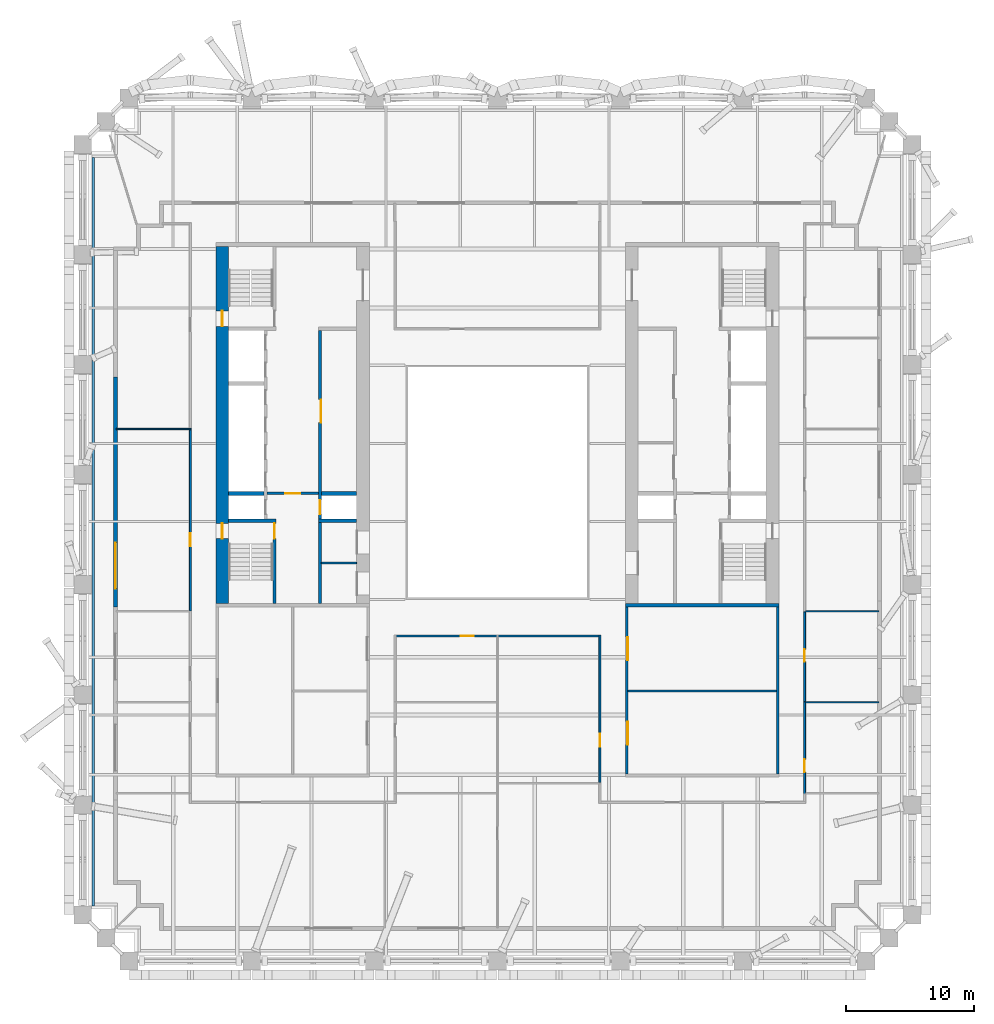
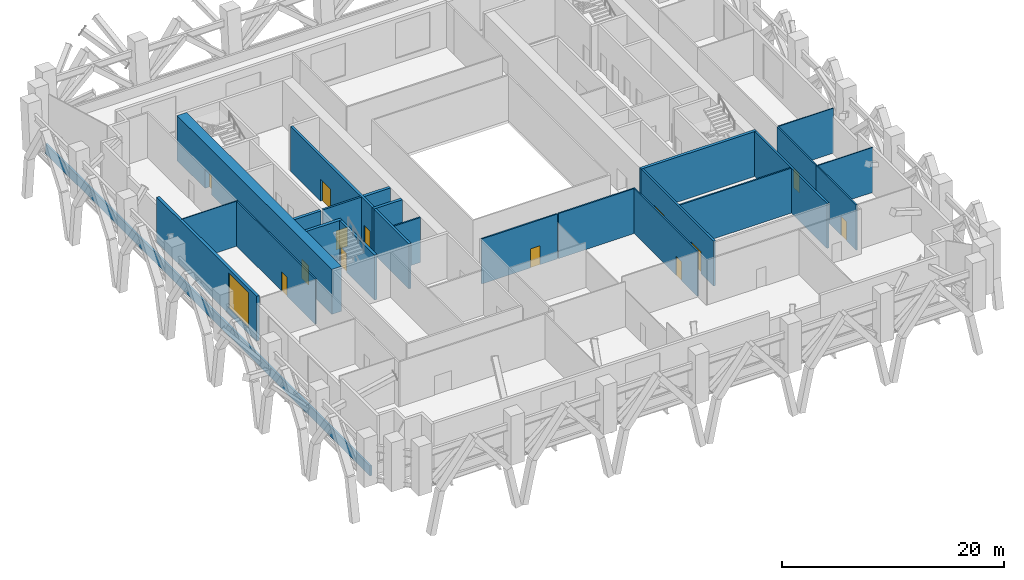
# One storey, part 6 of 19: 24 walls, 13 doors, 1 window, 14 openings.
"""IFC4 building model written with IfcOpenShell, lengths in metres."""

from ifc_helpers import new_model, si_unit, direction, frame, frame_2d, origin, place, context, subcontext, project, spatial, rectangle, extrude, material, layer, layer_set, type_object, element, fill, save


model = new_model("IFC4")

# Units and contexts
model_context = context("Model", 3, precision=1e-05, world=origin(), true_north=direction((0.0, 1.0)))
body_context = subcontext(model_context, "Body", "Model", "MODEL_VIEW")
ifc_project = project(units=[si_unit("LENGTHUNIT", "METRE"), si_unit("AREAUNIT", "SQUARE_METRE"), si_unit("VOLUMEUNIT", "CUBIC_METRE"), si_unit("PLANEANGLEUNIT", "RADIAN"), si_unit("MASSUNIT", "GRAM", prefix="KILO")], contexts=[model_context])

# Site, building, storey
site_placement = place(None, origin())
site = spatial("IfcSite", under=ifc_project, at=site_placement, CompositionType="ELEMENT")
building_placement = place(site_placement, origin())
building = spatial("IfcBuilding", under=site, at=building_placement, Name="Ogive Exchange Tower", CompositionType="ELEMENT")
storey_placement = place(building_placement, frame((0.0, 0.0, 94.199951171875)))
storey = spatial("IfcBuildingStorey", under=building, at=storey_placement, Name="L20", CompositionType="ELEMENT", Elevation=94.199951171875)

# Walls
ifc_material_1 = material(Name="Gypsum board partition")
ifc_layer_1 = layer(ifc_material_1, 0.14990234375)
ifc_layer_set_1 = layer_set([ifc_layer_1], Name="Core room partition 150 gypsum")
wall_type_1 = type_object("IfcWallType", Name="Core room partition 150 gypsum", PredefinedType="PARTITIONING", material=ifc_layer_set_1)
wall_1_placement = place(storey_placement, frame((-13.75, 0.699951171875, 0.0), z_axis=(0.0, 0.0, 1.0), x_axis=(1.0, 0.0, 0.0)))
element("IfcWall", 1, at=wall_1_placement, inside=storey, type_object=wall_type_1, Name="W south room partition", PredefinedType="PARTITIONING", context=body_context, shape_type="SweptSolid", body=[
    extrude(rectangle(XDim=2.75, YDim=0.14990234375, at=frame_2d((1.375, 0.0))), origin(), (0.0, 0.0, 1.0), 4.949951171875),
])
wall_2_placement = place(storey_placement, frame((10.199951171875, -9.300048828125, 0.0), z_axis=(0.0, 0.0, 1.0), x_axis=(1.0, 0.0, 0.0)))
element("IfcWall", 2, at=wall_2_placement, inside=storey, type_object=wall_type_1, Name="E annex S cross wall", PredefinedType="PARTITIONING", context=body_context, shape_type="SweptSolid", body=[
    extrude(rectangle(XDim=11.60009765625, YDim=0.14990234375, at=frame_2d((5.800048828125, 0.0))), origin(), (0.0, 0.0, 1.0), 4.949951171875),
])

# Wall, opening, door
ifc_material_2 = material(Name="Fire partition EI 60 150")
ifc_layer_2 = layer(ifc_material_2, 0.14990234375)
ifc_layer_set_2 = layer_set([ifc_layer_2], Name="Fire partition EI 60 150")
wall_type_2 = type_object("IfcWallType", Name="Fire partition EI 60 150", PredefinedType="PARTITIONING", material=ifc_layer_set_2)
wall_3_placement = place(storey_placement, frame((-24.0, -3.06005859375, 0.0), z_axis=(0.0, 0.0, 1.0), x_axis=(0.0, 1.0, 0.0)))
wall_3 = element("IfcWall", 3, at=wall_3_placement, inside=storey, type_object=wall_type_2, Name="L20-PWL-008", PredefinedType="PARTITIONING", context=body_context, shape_type="SweptSolid", body=[
    extrude(rectangle(XDim=14.18017578125, YDim=0.14990234375, at=frame_2d((7.090087890625, 0.0))), origin(), (0.0, 0.0, 1.0), 4.949951171875),
])
opening_1_placement = place(wall_3_placement, frame((5.080078125, 0.0, 0.0)))
opening_1 = element("IfcOpeningElement", 4, at=opening_1_placement, cuts=wall_3, Name="Opening L20-I01", PredefinedType="OPENING", context=body_context, shape_type="SweptSolid", body=[
    extrude(rectangle(XDim=1.0, YDim=2.10009765625, at=frame_2d((0.5, 1.050048828125))), frame((0.0, 0.0849609375, 0.0), z_axis=(0.0, -1.0, 0.0), x_axis=(1.0, 0.0, 0.0)), (0.0, 0.0, 1.0), 0.169921875),
])
ifc_material_3 = material(Name="Fire door FD 30S 1000 x 2100")
door_type_1 = type_object("IfcDoorType", Name="Fire door FD 30S 1000 x 2100", OperationType="NOTDEFINED", PredefinedType="DOOR", material=ifc_material_3)
door_1_placement = place(opening_1_placement, origin())
door_1 = element("IfcDoor", 5, at=door_1_placement, inside=storey, type_object=door_type_1, Name="L20-IDR-001", ObjectType="DT3", OperationType="SINGLE_SWING_RIGHT", OverallHeight=2.10009765625, OverallWidth=1.0, PredefinedType="DOOR", context=body_context, shape_type="SweptSolid", body=[
    extrude(rectangle(XDim=1.0, YDim=2.10009765625, at=frame_2d((0.5, 1.050048828125))), frame((0.0, 0.02490234375, 0.0), z_axis=(0.0, -1.0, 0.0), x_axis=(1.0, 0.0, 0.0)), (0.0, 0.0, 1.0), 0.050048828125),
])
fill(opening_1, door_1)

wall_4_placement = place(storey_placement, frame((-0.050048828125, -5.0, 0.0), z_axis=(0.0, 0.0, 1.0), x_axis=(-1.0, 0.0, 0.0)))
wall_4 = element("IfcWall", 6, at=wall_4_placement, inside=storey, type_object=wall_type_2, Name="L20-PWL-027", PredefinedType="PARTITIONING", context=body_context, shape_type="SweptSolid", body=[
    extrude(rectangle(XDim=7.875, YDim=0.14990234375, at=frame_2d((3.9375, 0.0))), origin(), (0.0, 0.0, 1.0), 4.949951171875),
])
opening_2_placement = place(wall_4_placement, frame((1.800048828125, 0.0, 0.0)))
opening_2 = element("IfcOpeningElement", 7, at=opening_2_placement, cuts=wall_4, Name="Opening L20-I12", PredefinedType="OPENING", context=body_context, shape_type="SweptSolid", body=[
    extrude(rectangle(XDim=1.0, YDim=2.10009765625, at=frame_2d((0.5, 1.050048828125))), frame((0.0, 0.0849609375, 0.0), z_axis=(0.0, -1.0, 0.0), x_axis=(1.0, 0.0, 0.0)), (0.0, 0.0, 1.0), 0.169921875),
])
door_2_placement = place(opening_2_placement, origin())
door_2 = element("IfcDoor", 8, at=door_2_placement, inside=storey, type_object=door_type_1, Name="L20-IDR-012", ObjectType="DT3", OperationType="SINGLE_SWING_RIGHT", OverallHeight=2.10009765625, OverallWidth=1.0, PredefinedType="DOOR", context=body_context, shape_type="SweptSolid", body=[
    extrude(rectangle(XDim=1.0, YDim=2.10009765625, at=frame_2d((0.5, 1.050048828125))), frame((0.0, 0.02490234375, 0.0), z_axis=(0.0, -1.0, 0.0), x_axis=(1.0, 0.0, 0.0)), (0.0, 0.0, 1.0), 0.050048828125),
])
fill(opening_2, door_2)

wall_5_placement = place(storey_placement, frame((8.0, -16.449951171875, 0.0), z_axis=(0.0, 0.0, 1.0), x_axis=(0.0, 1.0, 0.0)))
wall_5 = element("IfcWall", 9, at=wall_5_placement, inside=storey, type_object=wall_type_2, Name="L20-PWL-029", PredefinedType="PARTITIONING", context=body_context, shape_type="SweptSolid", body=[
    extrude(rectangle(XDim=11.52490234375, YDim=0.14990234375, at=frame_2d((5.762451171875, 0.0))), origin(), (0.0, 0.0, 1.0), 4.949951171875),
])
opening_3_placement = place(wall_5_placement, frame((2.800048828125, 0.0, 0.0)))
opening_3 = element("IfcOpeningElement", 10, at=opening_3_placement, cuts=wall_5, Name="Opening L20-I11", PredefinedType="OPENING", context=body_context, shape_type="SweptSolid", body=[
    extrude(rectangle(XDim=1.0, YDim=2.10009765625, at=frame_2d((0.5, 1.050048828125))), frame((0.0, 0.0849609375, 0.0), z_axis=(0.0, -1.0, 0.0), x_axis=(1.0, 0.0, 0.0)), (0.0, 0.0, 1.0), 0.169921875),
])
door_3_placement = place(opening_3_placement, origin())
door_3 = element("IfcDoor", 11, at=door_3_placement, inside=storey, type_object=door_type_1, Name="L20-IDR-011", ObjectType="DT3", OperationType="SINGLE_SWING_RIGHT", OverallHeight=2.10009765625, OverallWidth=1.0, PredefinedType="DOOR", context=body_context, shape_type="SweptSolid", body=[
    extrude(rectangle(XDim=1.0, YDim=2.10009765625, at=frame_2d((0.5, 1.050048828125))), frame((0.0, 0.02490234375, 0.0), z_axis=(0.0, -1.0, 0.0), x_axis=(1.0, 0.0, 0.0)), (0.0, 0.0, 1.0), 0.050048828125),
])
fill(opening_3, door_3)

# Wall
wall_6_placement = place(storey_placement, frame((7.925048828125, -5.0, 0.0), z_axis=(0.0, 0.0, 1.0), x_axis=(-1.0, 0.0, 0.0)))
element("IfcWall", 12, at=wall_6_placement, inside=storey, type_object=wall_type_2, Name="L20-PWL-030", PredefinedType="PARTITIONING", context=body_context, shape_type="SweptSolid", body=[
    extrude(rectangle(XDim=7.875, YDim=0.14990234375, at=frame_2d((3.9375, 0.0))), origin(), (0.0, 0.0, 1.0), 4.949951171875),
])

# Wall, opening, door
wall_7_placement = place(storey_placement, frame((24.0, -10.1201171875, 0.0), z_axis=(0.0, 0.0, 1.0), x_axis=(0.0, -1.0, 0.0)))
wall_7 = element("IfcWall", 13, at=wall_7_placement, inside=storey, type_object=wall_type_2, Name="L20-PWL-037", PredefinedType="PARTITIONING", context=body_context, shape_type="SweptSolid", body=[
    extrude(rectangle(XDim=7.219970703125, YDim=0.14990234375, at=frame_2d((3.60986328125, 0.0))), origin(), (0.0, 0.0, 1.0), 4.949951171875),
])
opening_4_placement = place(wall_7_placement, frame((4.52001953125, 0.0, 0.0)))
opening_4 = element("IfcOpeningElement", 14, at=opening_4_placement, cuts=wall_7, Name="Opening L20-I08", PredefinedType="OPENING", context=body_context, shape_type="SweptSolid", body=[
    extrude(rectangle(XDim=1.0, YDim=2.10009765625, at=frame_2d((0.5, 1.050048828125))), frame((0.0, 0.0849609375, 0.0), z_axis=(0.0, -1.0, 0.0), x_axis=(1.0, 0.0, 0.0)), (0.0, 0.0, 1.0), 0.169921875),
])
door_4_placement = place(opening_4_placement, origin())
door_4 = element("IfcDoor", 15, at=door_4_placement, inside=storey, type_object=door_type_1, Name="L20-IDR-008", ObjectType="DT3", OperationType="SINGLE_SWING_LEFT", OverallHeight=2.10009765625, OverallWidth=1.0, PredefinedType="DOOR", context=body_context, shape_type="SweptSolid", body=[
    extrude(rectangle(XDim=1.0, YDim=2.10009765625, at=frame_2d((0.5, 1.050048828125))), frame((0.0, 0.02490234375, 0.0), z_axis=(0.0, -1.0, 0.0), x_axis=(1.0, 0.0, 0.0)), (0.0, 0.0, 1.0), 0.050048828125),
])
fill(opening_4, door_4)

wall_8_placement = place(storey_placement, frame((24.0, -3.110107421875, 0.0), z_axis=(0.0, 0.0, 1.0), x_axis=(0.0, -1.0, 0.0)))
wall_8 = element("IfcWall", 16, at=wall_8_placement, inside=storey, type_object=wall_type_2, Name="L20-PWL-038", PredefinedType="PARTITIONING", context=body_context, shape_type="SweptSolid", body=[
    extrude(rectangle(XDim=7.010009765625, YDim=0.14990234375, at=frame_2d((3.5048828125, 0.0))), origin(), (0.0, 0.0, 1.0), 4.949951171875),
])
opening_5_placement = place(wall_8_placement, frame((2.909912109375, 0.0, 0.0)))
opening_5 = element("IfcOpeningElement", 17, at=opening_5_placement, cuts=wall_8, Name="Opening L20-I07", PredefinedType="OPENING", context=body_context, shape_type="SweptSolid", body=[
    extrude(rectangle(XDim=1.0, YDim=2.10009765625, at=frame_2d((0.5, 1.050048828125))), frame((0.0, 0.0849609375, 0.0), z_axis=(0.0, -1.0, 0.0), x_axis=(1.0, 0.0, 0.0)), (0.0, 0.0, 1.0), 0.169921875),
])
door_5_placement = place(opening_5_placement, origin())
door_5 = element("IfcDoor", 18, at=door_5_placement, inside=storey, type_object=door_type_1, Name="L20-IDR-007", ObjectType="DT3", OperationType="SINGLE_SWING_LEFT", OverallHeight=2.10009765625, OverallWidth=1.0, PredefinedType="DOOR", context=body_context, shape_type="SweptSolid", body=[
    extrude(rectangle(XDim=1.0, YDim=2.10009765625, at=frame_2d((0.5, 1.050048828125))), frame((0.0, 0.02490234375, 0.0), z_axis=(0.0, -1.0, 0.0), x_axis=(1.0, 0.0, 0.0)), (0.0, 0.0, 1.0), 0.050048828125),
])
fill(opening_5, door_5)

# Wall, opening, window
ifc_material_4 = material(Name="Precast concrete C40/50", Category="concrete")
ifc_layer_3 = layer(ifc_material_4, 0.300048828125)
ifc_layer_set_3 = layer_set([ifc_layer_3], Name="Limestone-faced wall 300")
wall_type_3 = type_object("IfcWallType", Name="Limestone-faced wall 300", PredefinedType="STANDARD", material=ifc_layer_set_3)
wall_9_placement = place(storey_placement, frame((-29.85009765625, 15.25244140625, 0.0), z_axis=(0.0, 0.0, 1.0), x_axis=(0.0, -1.0, 0.0)))
wall_9 = element("IfcWall", 19, at=wall_9_placement, inside=storey, type_object=wall_type_3, Name="External wall W4", PredefinedType="STANDARD", context=body_context, shape_type="SweptSolid", body=[
    extrude(rectangle(XDim=17.98095703125, YDim=0.300048828125, at=frame_2d((8.990478515625, 0.0))), origin(), (0.0, 0.0, 1.0), 4.949951171875),
])
opening_6_placement = place(wall_9_placement, frame((12.952392578125, 0.0, 0.60009765625)))
opening_6 = element("IfcOpeningElement", 20, at=opening_6_placement, cuts=wall_9, Name="Opening LV1", PredefinedType="OPENING", context=body_context, shape_type="SweptSolid", body=[
    extrude(rectangle(XDim=3.60009765625, YDim=3.89990234375, at=frame_2d((1.800048828125, 1.949951171875))), frame((0.0, 0.159912109375, 0.0), z_axis=(0.0, -1.0, 0.0), x_axis=(1.0, 0.0, 0.0)), (0.0, 0.0, 1.0), 0.320068359375),
])
ifc_material_5 = material(Name="Anodised aluminium louvre", Category="aluminium")
window_type = type_object("IfcWindowType", Name="Plant louvre 3600 x 3900", PartitioningType="DOUBLE_PANEL_HORIZONTAL", PredefinedType="WINDOW", material=ifc_material_5)
window_placement = place(opening_6_placement, origin())
window = element("IfcWindow", 21, at=window_placement, inside=storey, type_object=window_type, Name="Louvre W03", OverallHeight=3.89990234375, OverallWidth=3.60009765625, PartitioningType="DOUBLE_PANEL_HORIZONTAL", PredefinedType="WINDOW", context=body_context, shape_type="SweptSolid", body=[
    extrude(rectangle(XDim=3.60009765625, YDim=3.89990234375, at=frame_2d((1.800048828125, 1.949951171875))), frame((0.0, 0.030029296875, 0.0), z_axis=(0.0, -1.0, 0.0), x_axis=(1.0, 0.0, 0.0)), (0.0, 0.0, 1.0), 0.06005859375),
])
fill(opening_6, window)

# Walls
ifc_material_6 = material(Name="Partition 100 gypsum")
ifc_layer_4 = layer(ifc_material_6, 0.10009765625)
ifc_layer_set_4 = layer_set([ifc_layer_4], Name="Partition 100 gypsum")
wall_type_4 = type_object("IfcWallType", Name="Partition 100 gypsum", PredefinedType="PARTITIONING", material=ifc_layer_set_4)
wall_10_placement = place(storey_placement, frame((-29.800048828125, 11.169921875, 0.0), z_axis=(0.0, 0.0, 1.0), x_axis=(1.0, 0.0, 0.0)))
element("IfcWall", 22, at=wall_10_placement, inside=storey, type_object=wall_type_4, Name="L20-PWL-001", PredefinedType="PARTITIONING", context=body_context, shape_type="SweptSolid", body=[
    extrude(rectangle(XDim=5.875, YDim=0.10009765625, at=frame_2d((2.9375, 0.0))), origin(), (0.0, 0.0, 1.0), 4.949951171875),
])
for number, where, z_axis, x_axis, name in (
    (23, (29.800048828125, -10.169921875, 0.0), (0.0, 0.0, 1.0), (-1.0, 0.0, 0.0), "L20-PWL-046"),
    (24, (29.800048828125, -3.06005859375, 0.0), (0.0, 0.0, 1.0), (-1.0, 0.0, 0.0), "L20-PWL-047"),
):
    element("IfcWall", number, at=place(storey_placement, frame(where, z_axis=z_axis, x_axis=x_axis)), inside=storey, type_object=wall_type_4, Name=name, PredefinedType="PARTITIONING", context=body_context, shape_type="SweptSolid", body=[
        extrude(rectangle(XDim=5.72509765625, YDim=0.10009765625, at=frame_2d((2.862548828125, 0.0))), origin(), (0.0, 0.0, 1.0), 4.949951171875),
    ])
ifc_layer_5 = layer(ifc_material_4, 0.199951171875)
ifc_layer_set_5 = layer_set([ifc_layer_5], Name="Plant deck parapet 200")
wall_type_5 = type_object("IfcWallType", Name="Plant deck parapet 200", PredefinedType="STANDARD", material=ifc_layer_set_5)
wall_11_placement = place(storey_placement, frame((-31.580078125, 32.38916015625, -0.050048828125), z_axis=(0.0, 0.0, 1.0), x_axis=(0.0, -1.0, 0.0)))
element("IfcWall", 25, at=wall_11_placement, inside=storey, type_object=wall_type_5, Name="Plant deck parapet 16", PredefinedType="STANDARD", context=body_context, shape_type="SweptSolid", body=[
    extrude(rectangle(XDim=58.46923828125, YDim=0.199951171875, at=frame_2d((29.234619140625, 0.0))), origin(), (0.0, 0.0, 1.0), 1.10009765625),
])

# Wall, openings, doors
ifc_material_7 = material(Name="Concrete C70/85", Category="concrete")
ifc_layer_6 = layer(ifc_material_7, 1.0)
ifc_layer_set_6 = layer_set([ifc_layer_6], Name="RC core wall 1000 C70/85")
wall_type_6 = type_object("IfcWallType", Name="RC core wall 1000 C70/85", PredefinedType="SHEAR", material=ifc_layer_set_6)
wall_12_placement = place(storey_placement, frame((-21.5, -2.449951171875, 0.0), z_axis=(0.0, 0.0, 1.0), x_axis=(0.0, 1.0, 0.0)))
wall_12 = element("IfcWall", 26, at=wall_12_placement, inside=storey, type_object=wall_type_6, Name="W outer wall", PredefinedType="SHEAR", context=body_context, shape_type="SweptSolid", body=[
    extrude(rectangle(XDim=27.89990234375, YDim=1.0, at=frame_2d((13.949951171875, 0.0))), origin(), (0.0, 0.0, 1.0), 4.949951171875),
])
opening_7_placement = place(wall_12_placement, frame((5.050048828125, 0.0, 0.0)))
opening_7 = element("IfcOpeningElement", 27, at=opening_7_placement, cuts=wall_12, Name="Opening L20-C13", PredefinedType="OPENING", context=body_context, shape_type="SweptSolid", body=[
    extrude(rectangle(XDim=1.199951171875, YDim=2.10009765625, at=frame_2d((0.60009765625, 1.050048828125))), frame((0.0, 0.510009765625, 0.0), z_axis=(0.0, -1.0, 0.0), x_axis=(1.0, 0.0, 0.0)), (0.0, 0.0, 1.0), 1.02001953125),
])
opening_8_placement = place(wall_12_placement, frame((21.64990234375, 0.0, 0.0)))
opening_8 = element("IfcOpeningElement", 28, at=opening_8_placement, cuts=wall_12, Name="Opening L20-C15", PredefinedType="OPENING", context=body_context, shape_type="SweptSolid", body=[
    extrude(rectangle(XDim=1.199951171875, YDim=2.10009765625, at=frame_2d((0.60009765625, 1.050048828125))), frame((0.0, 0.510009765625, 0.0), z_axis=(0.0, -1.0, 0.0), x_axis=(1.0, 0.0, 0.0)), (0.0, 0.0, 1.0), 1.02001953125),
])
ifc_material_8 = material(Name="Steel fire door", Category="steel")
door_type_2 = type_object("IfcDoorType", Name="Stair door FD90 1200 x 2100", OperationType="NOTDEFINED", PredefinedType="DOOR", material=ifc_material_8)
door_6_placement = place(opening_7_placement, frame((1.199951171875, 0.0, 0.0), z_axis=(0.0, 0.0, 1.0), x_axis=(-1.0, 0.0, 0.0)))
door_6 = element("IfcDoor", 29, at=door_6_placement, inside=storey, type_object=door_type_2, Name="Stair door", ObjectType="CD5", OperationType="SINGLE_SWING_RIGHT", OverallHeight=2.10009765625, OverallWidth=1.199951171875, PredefinedType="DOOR", context=body_context, shape_type="SweptSolid", body=[
    extrude(rectangle(XDim=1.199951171875, YDim=2.10009765625, at=frame_2d((0.60009765625, 1.050048828125))), frame((0.0, 0.02490234375, 0.0), z_axis=(0.0, -1.0, 0.0), x_axis=(1.0, 0.0, 0.0)), (0.0, 0.0, 1.0), 0.050048828125),
])
fill(opening_7, door_6)
door_7_placement = place(opening_8_placement, frame((1.199951171875, 0.0, 0.0), z_axis=(0.0, 0.0, 1.0), x_axis=(-1.0, 0.0, 0.0)))
door_7 = element("IfcDoor", 30, at=door_7_placement, inside=storey, type_object=door_type_2, Name="Stair door", ObjectType="CD5", OperationType="SINGLE_SWING_LEFT", OverallHeight=2.10009765625, OverallWidth=1.199951171875, PredefinedType="DOOR", context=body_context, shape_type="SweptSolid", body=[
    extrude(rectangle(XDim=1.199951171875, YDim=2.10009765625, at=frame_2d((0.60009765625, 1.050048828125))), frame((0.0, 0.02490234375, 0.0), z_axis=(0.0, -1.0, 0.0), x_axis=(1.0, 0.0, 0.0)), (0.0, 0.0, 1.0), 0.050048828125),
])
fill(opening_8, door_7)

# Wall, opening, door
ifc_layer_7 = layer(ifc_material_7, 0.199951171875)
ifc_layer_set_7 = layer_set([ifc_layer_7], Name="RC core wall 200 C70/85")
wall_type_7 = type_object("IfcWallType", Name="RC core wall 200 C70/85", PredefinedType="SHEAR", material=ifc_layer_set_7)
wall_13_placement = place(storey_placement, frame((-18.0, 6.142822265625, 0.0), z_axis=(0.0, 0.0, 1.0), x_axis=(1.0, 0.0, 0.0)))
wall_13 = element("IfcWall", 31, at=wall_13_placement, inside=storey, type_object=wall_type_7, Name="W firefighting lobby wall", PredefinedType="SHEAR", context=body_context, shape_type="SweptSolid", body=[
    extrude(rectangle(XDim=4.0, YDim=0.199951171875, at=frame_2d((2.0, 0.0))), origin(), (0.0, 0.0, 1.0), 4.949951171875),
])
opening_9_placement = place(wall_13_placement, frame((1.39990234375, 0.0, 0.0)))
opening_9 = element("IfcOpeningElement", 32, at=opening_9_placement, cuts=wall_13, Name="Opening L20-C10", PredefinedType="OPENING", context=body_context, shape_type="SweptSolid", body=[
    extrude(rectangle(XDim=1.199951171875, YDim=2.10009765625, at=frame_2d((0.60009765625, 1.050048828125))), frame((0.0, 0.10986328125, 0.0), z_axis=(0.0, -1.0, 0.0), x_axis=(1.0, 0.0, 0.0)), (0.0, 0.0, 1.0), 0.219970703125),
])
door_type_3 = type_object("IfcDoorType", Name="Firefighting lobby door FD60 1200 x 2100", OperationType="NOTDEFINED", PredefinedType="DOOR", material=ifc_material_8)
door_8_placement = place(opening_9_placement, frame((1.199951171875, 0.0, 0.0), z_axis=(0.0, 0.0, 1.0), x_axis=(-1.0, 0.0, 0.0)))
door_8 = element("IfcDoor", 33, at=door_8_placement, inside=storey, type_object=door_type_3, Name="Firefighting lobby door", ObjectType="CD3", OperationType="SINGLE_SWING_RIGHT", OverallHeight=2.10009765625, OverallWidth=1.199951171875, PredefinedType="DOOR", context=body_context, shape_type="SweptSolid", body=[
    extrude(rectangle(XDim=1.199951171875, YDim=2.10009765625, at=frame_2d((0.60009765625, 1.050048828125))), frame((0.0, 0.02490234375, 0.0), z_axis=(0.0, -1.0, 0.0), x_axis=(1.0, 0.0, 0.0)), (0.0, 0.0, 1.0), 0.050048828125),
])
fill(opening_9, door_8)

# Wall
wall_14_placement = place(storey_placement, frame((21.89990234375, -15.800048828125, 0.0), z_axis=(0.0, 0.0, 1.0), x_axis=(0.0, 1.0, 0.0)))
element("IfcWall", 34, at=wall_14_placement, inside=storey, type_object=wall_type_7, Name="E annex S outer wall", PredefinedType="SHEAR", context=body_context, shape_type="SweptSolid", body=[
    extrude(rectangle(XDim=13.050048828125, YDim=0.199951171875, at=frame_2d((6.52490234375, 0.0))), origin(), (0.0, 0.0, 1.0), 4.949951171875),
])

# Wall, openings, doors
wall_15_placement = place(storey_placement, frame((10.10009765625, -15.800048828125, 0.0), z_axis=(0.0, 0.0, 1.0), x_axis=(0.0, 1.0, 0.0)))
wall_15 = element("IfcWall", 35, at=wall_15_placement, inside=storey, type_object=wall_type_7, Name="E annex S inner wall", PredefinedType="SHEAR", context=body_context, shape_type="SweptSolid", body=[
    extrude(rectangle(XDim=13.050048828125, YDim=0.199951171875, at=frame_2d((6.52490234375, 0.0))), origin(), (0.0, 0.0, 1.0), 4.949951171875),
])
opening_10_placement = place(wall_15_placement, frame((2.3125, 0.0, 0.0)))
opening_10 = element("IfcOpeningElement", 36, at=opening_10_placement, cuts=wall_15, Name="Opening L20-C38", PredefinedType="OPENING", context=body_context, shape_type="SweptSolid", body=[
    extrude(rectangle(XDim=1.800048828125, YDim=2.39990234375, at=frame_2d((0.89990234375, 1.199951171875))), frame((0.0, 0.10986328125, 0.0), z_axis=(0.0, -1.0, 0.0), x_axis=(1.0, 0.0, 0.0)), (0.0, 0.0, 1.0), 0.219970703125),
])
opening_11_placement = place(wall_15_placement, frame((8.91259765625, 0.0, 0.0)))
opening_11 = element("IfcOpeningElement", 37, at=opening_11_placement, cuts=wall_15, Name="Opening L20-C39", PredefinedType="OPENING", context=body_context, shape_type="SweptSolid", body=[
    extrude(rectangle(XDim=1.800048828125, YDim=2.39990234375, at=frame_2d((0.89990234375, 1.199951171875))), frame((0.0, 0.10986328125, 0.0), z_axis=(0.0, -1.0, 0.0), x_axis=(1.0, 0.0, 0.0)), (0.0, 0.0, 1.0), 0.219970703125),
])
door_type_4 = type_object("IfcDoorType", Name="Plant room door FD60 1800 x 2400", OperationType="DOUBLE_DOOR_SINGLE_SWING", PredefinedType="DOOR", material=ifc_material_8)
door_9_placement = place(opening_10_placement, frame((1.800048828125, -0.14990234375, 0.0), z_axis=(0.0, 0.0, 1.0), x_axis=(-1.0, 0.0, 0.0)))
door_9 = element("IfcDoor", 38, at=door_9_placement, inside=storey, type_object=door_type_4, Name="Plant room door", ObjectType="CD1", OperationType="DOUBLE_DOOR_SINGLE_SWING", OverallHeight=2.39990234375, OverallWidth=1.800048828125, PredefinedType="DOOR", context=body_context, shape_type="SweptSolid", body=[
    extrude(rectangle(XDim=1.800048828125, YDim=2.39990234375, at=frame_2d((0.89990234375, 1.199951171875))), frame((0.0, -0.0498046875, 0.0), z_axis=(0.0, -1.0, 0.0), x_axis=(1.0, 0.0, 0.0)), (0.0, 0.0, 1.0), 0.050048828125),
])
fill(opening_10, door_9)
door_10_placement = place(opening_11_placement, frame((1.800048828125, -0.14990234375, 0.0), z_axis=(0.0, 0.0, 1.0), x_axis=(-1.0, 0.0, 0.0)))
door_10 = element("IfcDoor", 39, at=door_10_placement, inside=storey, type_object=door_type_4, Name="Plant room door", ObjectType="CD1", OperationType="DOUBLE_DOOR_SINGLE_SWING", OverallHeight=2.39990234375, OverallWidth=1.800048828125, PredefinedType="DOOR", context=body_context, shape_type="SweptSolid", body=[
    extrude(rectangle(XDim=1.800048828125, YDim=2.39990234375, at=frame_2d((0.89990234375, 1.199951171875))), frame((0.0, -0.0498046875, 0.0), z_axis=(0.0, -1.0, 0.0), x_axis=(1.0, 0.0, 0.0)), (0.0, 0.0, 1.0), 0.050048828125),
])
fill(opening_11, door_10)

# Wall, opening, door
ifc_layer_8 = layer(ifc_material_7, 0.25)
ifc_layer_set_8 = layer_set([ifc_layer_8], Name="RC core wall 250 C70/85")
wall_type_8 = type_object("IfcWallType", Name="RC core wall 250 C70/85", PredefinedType="SHEAR", material=ifc_layer_set_8)
wall_16_placement = place(storey_placement, frame((-17.425048828125, -2.449951171875, 0.0), z_axis=(0.0, 0.0, 1.0), x_axis=(0.0, 1.0, 0.0)))
wall_16 = element("IfcWall", 40, at=wall_16_placement, inside=storey, type_object=wall_type_8, Name="W stair S front wall", PredefinedType="SHEAR", context=body_context, shape_type="SweptSolid", body=[
    extrude(rectangle(XDim=6.300048828125, YDim=0.25, at=frame_2d((3.14990234375, 0.0))), origin(), (0.0, 0.0, 1.0), 4.949951171875),
])
opening_12_placement = place(wall_16_placement, frame((5.050048828125, 0.0, 0.0)))
opening_12 = element("IfcOpeningElement", 41, at=opening_12_placement, cuts=wall_16, Name="Opening L20-C12", PredefinedType="OPENING", context=body_context, shape_type="SweptSolid", body=[
    extrude(rectangle(XDim=1.199951171875, YDim=2.10009765625, at=frame_2d((0.60009765625, 1.050048828125))), frame((0.0, 0.135009765625, 0.0), z_axis=(0.0, -1.0, 0.0), x_axis=(1.0, 0.0, 0.0)), (0.0, 0.0, 1.0), 0.27001953125),
])
door_11_placement = place(opening_12_placement, origin())
door_11 = element("IfcDoor", 42, at=door_11_placement, inside=storey, type_object=door_type_2, Name="Stair door", ObjectType="CD5", OperationType="SINGLE_SWING_LEFT", OverallHeight=2.10009765625, OverallWidth=1.199951171875, PredefinedType="DOOR", context=body_context, shape_type="SweptSolid", body=[
    extrude(rectangle(XDim=1.199951171875, YDim=2.10009765625, at=frame_2d((0.60009765625, 1.050048828125))), frame((0.0, 0.02490234375, 0.0), z_axis=(0.0, -1.0, 0.0), x_axis=(1.0, 0.0, 0.0)), (0.0, 0.0, 1.0), 0.050048828125),
])
fill(opening_12, door_11)

# Wall, openings, doors
wall_17_placement = place(storey_placement, frame((-13.875, -2.449951171875, 0.0), z_axis=(0.0, 0.0, 1.0), x_axis=(0.0, 1.0, 0.0)))
wall_17 = element("IfcWall", 43, at=wall_17_placement, inside=storey, type_object=wall_type_8, Name="W row B front wall", PredefinedType="SHEAR", context=body_context, shape_type="SweptSolid", body=[
    extrude(rectangle(XDim=21.300048828125, YDim=0.25, at=frame_2d((10.64990234375, 0.0))), origin(), (0.0, 0.0, 1.0), 4.949951171875),
])
opening_13_placement = place(wall_17_placement, frame((14.121337890625, 0.0, 0.0)))
opening_13 = element("IfcOpeningElement", 44, at=opening_13_placement, cuts=wall_17, Name="Opening L20-C08", PredefinedType="OPENING", context=body_context, shape_type="SweptSolid", body=[
    extrude(rectangle(XDim=1.800048828125, YDim=2.39990234375, at=frame_2d((0.89990234375, 1.199951171875))), frame((0.0, 0.135009765625, 0.0), z_axis=(0.0, -1.0, 0.0), x_axis=(1.0, 0.0, 0.0)), (0.0, 0.0, 1.0), 0.27001953125),
])
opening_14_placement = place(wall_17_placement, frame((6.971435546875, 0.0, 0.0)))
opening_14 = element("IfcOpeningElement", 45, at=opening_14_placement, cuts=wall_17, Name="Opening L20-C09", PredefinedType="OPENING", context=body_context, shape_type="SweptSolid", body=[
    extrude(rectangle(XDim=1.10009765625, YDim=2.10009765625, at=frame_2d((0.550048828125, 1.050048828125))), frame((0.0, 0.135009765625, 0.0), z_axis=(0.0, -1.0, 0.0), x_axis=(1.0, 0.0, 0.0)), (0.0, 0.0, 1.0), 0.27001953125),
])
ifc_material_9 = material(Name="Stainless steel", Category="steel")
door_type_5 = type_object("IfcDoorType", Name="Lift landing door FD90 1100 x 2100", OperationType="SLIDING_TO_LEFT", PredefinedType="DOOR", material=ifc_material_9)
door_12_placement = place(opening_14_placement, origin())
door_12 = element("IfcDoor", 46, at=door_12_placement, inside=storey, type_object=door_type_5, Name="Lift landing door SV1", ObjectType="LD", OperationType="SLIDING_TO_LEFT", OverallHeight=2.10009765625, OverallWidth=1.10009765625, PredefinedType="DOOR", context=body_context, shape_type="SweptSolid", body=[
    extrude(rectangle(XDim=1.10009765625, YDim=2.10009765625, at=frame_2d((0.550048828125, 1.050048828125))), frame((0.0, 0.02490234375, 0.0), z_axis=(0.0, -1.0, 0.0), x_axis=(1.0, 0.0, 0.0)), (0.0, 0.0, 1.0), 0.050048828125),
])
fill(opening_14, door_12)
door_13_placement = place(opening_13_placement, frame((1.800048828125, -0.2001953125, 0.0), z_axis=(0.0, 0.0, 1.0), x_axis=(-1.0, 0.0, 0.0)))
door_13 = element("IfcDoor", 47, at=door_13_placement, inside=storey, type_object=door_type_4, Name="Plant room door", ObjectType="CD1", OperationType="DOUBLE_DOOR_SINGLE_SWING", OverallHeight=2.39990234375, OverallWidth=1.800048828125, PredefinedType="DOOR", context=body_context, shape_type="SweptSolid", body=[
    extrude(rectangle(XDim=1.800048828125, YDim=2.39990234375, at=frame_2d((0.89990234375, 1.199951171875))), frame((0.0, -0.0751953125, 0.0), z_axis=(0.0, -1.0, 0.0), x_axis=(1.0, 0.0, 0.0)), (0.0, 0.0, 1.0), 0.050048828125),
])
fill(opening_13, door_13)

# Walls
ifc_layer_9 = layer(ifc_material_7, 0.300048828125)
ifc_layer_set_9 = layer_set([ifc_layer_9], Name="RC core wall 300 C70/85")
wall_type_9 = type_object("IfcWallType", Name="RC core wall 300 C70/85", PredefinedType="SHEAR", material=ifc_layer_set_9)
wall_18_placement = place(storey_placement, frame((-21.0, 4.0, 0.0), z_axis=(0.0, 0.0, 1.0), x_axis=(1.0, 0.0, 0.0)))
element("IfcWall", 48, at=wall_18_placement, inside=storey, type_object=wall_type_9, Name="W stair S north wall", PredefinedType="SHEAR", context=body_context, shape_type="SweptSolid", body=[
    extrude(rectangle(XDim=3.699951171875, YDim=0.300048828125, at=frame_2d((1.85009765625, 0.0))), origin(), (0.0, 0.0, 1.0), 4.949951171875),
])
wall_19_placement = place(storey_placement, frame((-21.0, 6.142822265625, 0.0), z_axis=(0.0, 0.0, 1.0), x_axis=(1.0, 0.0, 0.0)))
element("IfcWall", 49, at=wall_19_placement, inside=storey, type_object=wall_type_9, Name="W row A divider 1", PredefinedType="SHEAR", context=body_context, shape_type="SweptSolid", body=[
    extrude(rectangle(XDim=2.75, YDim=0.300048828125, at=frame_2d((1.375, 0.0))), origin(), (0.0, 0.0, 1.0), 4.949951171875),
])
wall_20_placement = place(storey_placement, frame((-14.0, 4.0, 0.0), z_axis=(0.0, 0.0, 1.0), x_axis=(1.0, 0.0, 0.0)))
element("IfcWall", 50, at=wall_20_placement, inside=storey, type_object=wall_type_9, Name="W row B divider 0", PredefinedType="SHEAR", context=body_context, shape_type="SweptSolid", body=[
    extrude(rectangle(XDim=3.0, YDim=0.300048828125, at=frame_2d((1.5, 0.0))), origin(), (0.0, 0.0, 1.0), 4.949951171875),
])
wall_21_placement = place(storey_placement, frame((-13.75, 6.142822265625, 0.0), z_axis=(0.0, 0.0, 1.0), x_axis=(1.0, 0.0, 0.0)))
element("IfcWall", 51, at=wall_21_placement, inside=storey, type_object=wall_type_9, Name="W row B divider 1", PredefinedType="SHEAR", context=body_context, shape_type="SweptSolid", body=[
    extrude(rectangle(XDim=2.75, YDim=0.300048828125, at=frame_2d((1.375, 0.0))), origin(), (0.0, 0.0, 1.0), 4.949951171875),
])
wall_22_placement = place(storey_placement, frame((10.0, -2.60009765625, 0.0), z_axis=(0.0, 0.0, 1.0), x_axis=(1.0, 0.0, 0.0)))
element("IfcWall", 52, at=wall_22_placement, inside=storey, type_object=wall_type_9, Name="E south end wall", PredefinedType="SHEAR", context=body_context, shape_type="SweptSolid", body=[
    extrude(rectangle(XDim=12.0, YDim=0.300048828125, at=frame_2d((6.0, 0.0))), origin(), (0.0, 0.0, 1.0), 4.949951171875),
])

save(model, "model.ifc")
